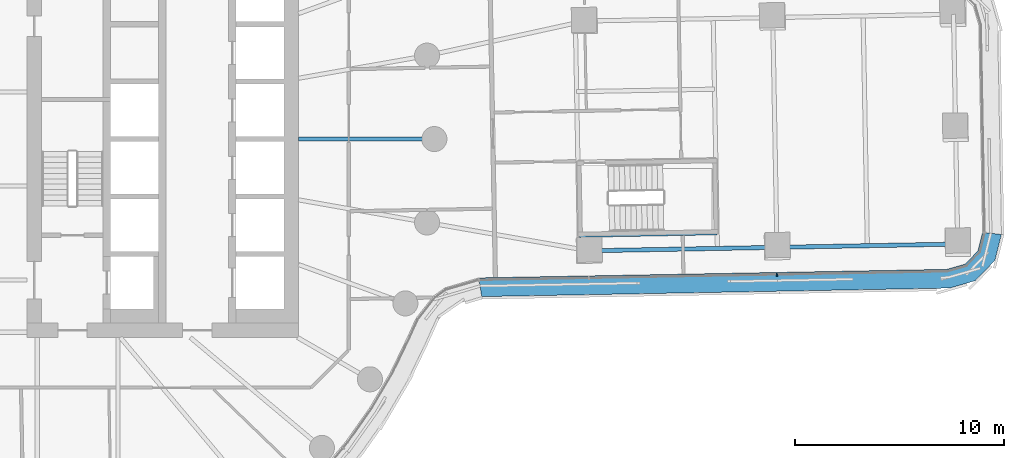
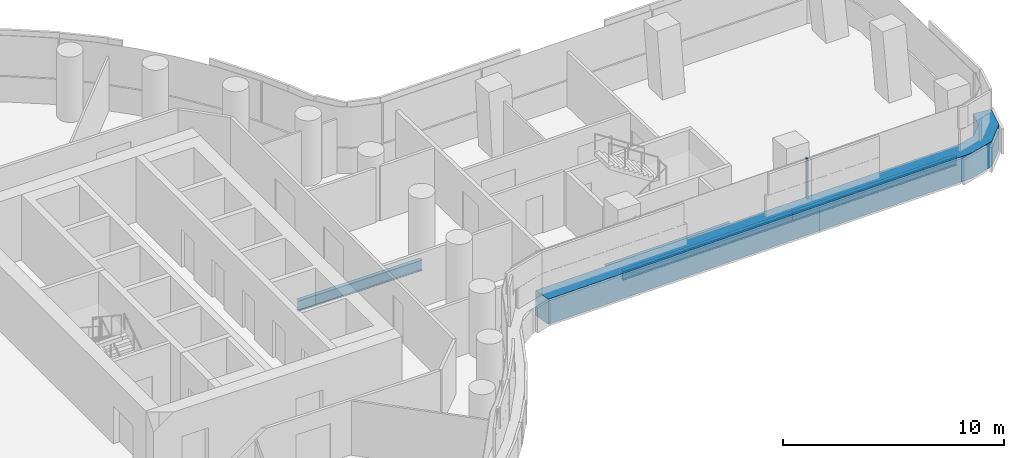
# One storey, part 10 of 31: 4 beams, 2 members, 1 element without a shape of its own.
"""IFC4 building model written with IfcOpenShell, lengths in metres."""

import ifcopenshell
import ifcopenshell.guid

model = None  # the IFC model being written
_history = None  # IfcOwnerHistory: only IFC2X3 demands one
_inside = {}  # id of a spatial element -> (the spatial element, [elements in it])
_under = {}  # id of a project, library or spatial element -> (it, [spatial elements below it])
_declared = {}  # id of a project -> (the project, [libraries it declares])
_typed = {}  # id of a type object -> (the type object, [elements of that type])
_made_of = {}  # id of a material, layer set ... -> (it, [elements and type objects made of it])


def new_model(schema):
    """Start an empty IFC model of exactly this schema.

    Asked for "IFC4X3", IfcOpenShell would pick the latest addendum, in which some entities
    have other attributes; the version numbers below select the first issue.
    IFC2X3 requires an IfcOwnerHistory on every rooted entity: one is made here for all.
    """
    global model, _history
    if schema == "IFC4X3":
        model = ifcopenshell.file(schema_version=(4, 3, 0, 0))
    else:
        model = ifcopenshell.file(schema=schema)
    _inside.clear()
    _under.clear()
    _declared.clear()
    _typed.clear()
    _made_of.clear()
    _history = None
    if model.schema == "IFC2X3":
        org = make("IfcOrganization", Name="unknown")
        user = make(
            "IfcPersonAndOrganization",
            ThePerson=make("IfcPerson", FamilyName="unknown"),
            TheOrganization=org,
        )
        app = make(
            "IfcApplication",
            ApplicationDeveloper=org,
            Version="unknown",
            ApplicationFullName="unknown",
            ApplicationIdentifier="unknown",
        )
        _history = make(
            "IfcOwnerHistory",
            OwningUser=user,
            OwningApplication=app,
            ChangeAction="ADDED",
            CreationDate=0,
        )
    return model


def make(cls, **values):
    """One entity of the class cls with the attributes given. An attribute that is None is left unset."""
    return model.create_entity(
        cls, **{name: value for name, value in values.items() if value is not None}
    )


def rooted(cls, **values):
    """An entity with a GlobalId (a new one), such as an element, a storey or a relation."""
    return make(cls, GlobalId=ifcopenshell.guid.new(), OwnerHistory=_history, **values)


def si_unit(unit_type, name, prefix=None):
    """IfcSIUnit, for example si_unit("LENGTHUNIT", "METRE", prefix="MILLI")."""
    return make("IfcSIUnit", UnitType=unit_type, Prefix=prefix, Name=name)


def assignment(units):
    """IfcUnitAssignment: the units of a project."""
    return None if units is None else make("IfcUnitAssignment", Units=units)


def point(xyz):
    """IfcCartesianPoint."""
    return None if xyz is None else make("IfcCartesianPoint", Coordinates=xyz)


def direction(xyz):
    """IfcDirection."""
    return None if xyz is None else make("IfcDirection", DirectionRatios=xyz)


def frame(location, z_axis=None, x_axis=None):
    """IfcAxis2Placement3D, a coordinate frame: its origin and axes. An axis left out is left unset."""
    return make(
        "IfcAxis2Placement3D",
        Location=point(location),
        Axis=direction(z_axis),
        RefDirection=direction(x_axis),
    )


def frame_2d(location, x_axis=None):
    """IfcAxis2Placement2D, a coordinate frame in the plane: its origin and x axis."""
    return make(
        "IfcAxis2Placement2D", Location=point(location), RefDirection=direction(x_axis)
    )


def origin():
    """The frame at (0, 0, 0) with its axes left unset."""
    return frame((0.0, 0.0, 0.0))


def origin_2d():
    """The frame at (0, 0) in the plane with its x axis left unset."""
    return frame_2d((0.0, 0.0))


def place(relative_to, where):
    """IfcLocalPlacement: puts the frame where relative to a parent placement (None: the world)."""
    return make(
        "IfcLocalPlacement", PlacementRelTo=relative_to, RelativePlacement=where
    )


def context(
    kind, dimensions, precision=None, world=None, true_north=None, identifier=None
):
    """IfcGeometricRepresentationContext, for example the 3D "Model" context."""
    return make(
        "IfcGeometricRepresentationContext",
        ContextIdentifier=identifier,
        ContextType=kind,
        CoordinateSpaceDimension=dimensions,
        Precision=precision,
        WorldCoordinateSystem=world,
        TrueNorth=true_north,
    )


def subcontext(parent, identifier, kind, view, scale=None):
    """IfcGeometricRepresentationSubContext, for example "Body" below "Model"."""
    return make(
        "IfcGeometricRepresentationSubContext",
        ContextIdentifier=identifier,
        ContextType=kind,
        ParentContext=parent,
        TargetScale=scale,
        TargetView=view,
    )


def project(units=None, contexts=None):
    """IfcProject with its units and contexts."""
    return rooted(
        "IfcProject",
        Name="project",
        RepresentationContexts=contexts,
        UnitsInContext=assignment(units),
    )


def spatial(cls, under=None, at=None, **own):
    """A site, building, storey or space (cls), placed at a placement, below another one or the project."""
    s = rooted(cls, ObjectPlacement=at, **own)
    if under is not None:
        _under.setdefault(under.id(), (under, []))[1].append(s)
    return s


def polyline(points):
    """IfcPolyline through the points."""
    return make("IfcPolyline", Points=[point(p) for p in points])


def profile(cls, at=None, kind="AREA", **sizes):
    """A parametric profile (cls). Its sizes go by their IFC names, for example OverallWidth=200.0."""
    return make(cls, ProfileType=kind, Position=at, **sizes)


def rectangle(**sizes):
    """IfcRectangleProfileDef."""
    return profile("IfcRectangleProfileDef", **sizes)


def i_section(**sizes):
    """IfcIShapeProfileDef."""
    return profile("IfcIShapeProfileDef", **sizes)


def outline(outer, holes=None, kind="AREA"):
    """IfcArbitraryClosedProfileDef: a profile drawn as a closed curve; with holes, ...WithVoids."""
    if holes is None:
        return make("IfcArbitraryClosedProfileDef", ProfileType=kind, OuterCurve=outer)
    return make(
        "IfcArbitraryProfileDefWithVoids",
        ProfileType=kind,
        OuterCurve=outer,
        InnerCurves=holes,
    )


def extrude(swept, where, along, depth):
    """IfcExtrudedAreaSolid: the profile swept, set in the frame where, extruded along a direction by depth."""
    return make(
        "IfcExtrudedAreaSolid",
        SweptArea=swept,
        Position=where,
        ExtrudedDirection=direction(along),
        Depth=depth,
    )


def shape(context_of_items, identifier, shape_type, items):
    """IfcShapeRepresentation: the items that make up one representation, for example the "Body"."""
    return make(
        "IfcShapeRepresentation",
        ContextOfItems=context_of_items,
        RepresentationIdentifier=identifier,
        RepresentationType=shape_type,
        Items=items,
    )


def material(Name=None, Category=None):
    """IfcMaterial."""
    return make("IfcMaterial", Name=Name, Category=Category)


def layer(
    of_material, thickness, ventilated=None, Name=None, Category=None, Priority=None
):
    """IfcMaterialLayer: one layer of a wall or slab, of a material (None: an air gap)."""
    return make(
        "IfcMaterialLayer",
        Material=of_material,
        LayerThickness=thickness,
        IsVentilated=ventilated,
        Name=Name,
        Category=Category,
        Priority=Priority,
    )


def layer_set(layers, Name=None):
    """IfcMaterialLayerSet."""
    return make("IfcMaterialLayerSet", MaterialLayers=layers, LayerSetName=Name)


def material_profile(
    of_material, cross_section, Name=None, Category=None, Priority=None
):
    """IfcMaterialProfile: a cross section and its material."""
    return make(
        "IfcMaterialProfile",
        Name=Name,
        Material=of_material,
        Profile=cross_section,
        Priority=Priority,
        Category=Category,
    )


def profile_set(profiles, Name=None, composite=None):
    """IfcMaterialProfileSet."""
    return make(
        "IfcMaterialProfileSet",
        Name=Name,
        MaterialProfiles=profiles,
        CompositeProfile=composite,
    )


def made_of(thing, what):
    """Note that an element or type object is made of a material, layer set ...; save() writes the relation."""
    if what is not None:
        _made_of.setdefault(what.id(), (what, []))[1].append(thing)
    return thing


def type_object(cls, material=None, **own):
    """A type object (cls), such as IfcWallType, which elements share."""
    return made_of(rooted(cls, **own), material)


def element(
    cls,
    number,
    at=None,
    inside=None,
    cuts=None,
    type_object=None,
    material=None,
    context=None,
    identifier="Body",
    shape_type=None,
    held_by="IfcProductDefinitionShape",
    body=None,
    shapes=None,
    **own,
):
    """One element of the class cls, such as IfcWall. Its Tag is "e" and its number.

    at: its placement. inside: the storey or other place that contains it. cuts: it is an
    opening in that element (IfcRelVoidsElement). A single representation is given by context,
    identifier, shape_type and body (its items); several are given by shapes. held_by: the class
    of the entity that holds the representations. save() writes the other relations.
    """
    e = rooted(cls, Tag="e%d" % number, ObjectPlacement=at, **own)
    if body is not None:
        shapes = [shape(context, identifier, shape_type, body)]
    if shapes is not None:
        e.Representation = make(held_by, Representations=shapes)
    if inside is not None:
        _inside.setdefault(inside.id(), (inside, []))[1].append(e)
    if cuts is not None:
        rooted(
            "IfcRelVoidsElement", RelatingBuildingElement=cuts, RelatedOpeningElement=e
        )
    if type_object is not None:
        _typed.setdefault(type_object.id(), (type_object, []))[1].append(e)
    return made_of(e, material)


def aggregate(whole, parts):
    """IfcRelAggregates: a whole, such as a stair, and the parts it consists of."""
    return rooted("IfcRelAggregates", RelatingObject=whole, RelatedObjects=parts)


def save(model, path):
    """Write the relations noted so far, then the file.

    IfcRelAggregates (storeys below a building ...), IfcRelContainedInSpatialStructure (elements
    in a storey), IfcRelDefinesByType, IfcRelAssociatesMaterial and IfcRelDeclares: one each for
    every whole, place, type object, material and project.
    """
    for whole, parts in _under.values():
        aggregate(whole, parts)
    for where, things in _inside.values():
        rooted(
            "IfcRelContainedInSpatialStructure",
            RelatedElements=things,
            RelatingStructure=where,
        )
    for kind, things in _typed.values():
        rooted("IfcRelDefinesByType", RelatedObjects=things, RelatingType=kind)
    for what, things in _made_of.values():
        rooted("IfcRelAssociatesMaterial", RelatedObjects=things, RelatingMaterial=what)
    for by, libraries in _declared.values():
        rooted("IfcRelDeclares", RelatingContext=by, RelatedDefinitions=libraries)
    model.write(path)


model = new_model("IFC4")

# Units and contexts
model_context = context("Model", 3, precision=1e-05, world=origin(), true_north=direction((0.0, 1.0)))
body_context = subcontext(model_context, "Body", "Model", "MODEL_VIEW")
ifc_project = project(units=[si_unit("LENGTHUNIT", "METRE"), si_unit("AREAUNIT", "SQUARE_METRE"), si_unit("VOLUMEUNIT", "CUBIC_METRE"), si_unit("PLANEANGLEUNIT", "RADIAN"), si_unit("MASSUNIT", "GRAM", prefix="KILO")], contexts=[model_context])

# Site, building, storey
site_placement = place(None, origin())
site = spatial("IfcSite", under=ifc_project, at=site_placement, CompositionType="ELEMENT")
building_placement = place(site_placement, origin())
building = spatial("IfcBuilding", under=site, at=building_placement, Name="Tamarind Cross Interchange Tower", CompositionType="ELEMENT")
storey_placement = place(building_placement, frame((0.0, 0.0, 37.75)))
storey = spatial("IfcBuildingStorey", under=building, at=storey_placement, Name="L07", CompositionType="ELEMENT", Elevation=37.75)

# Beams
ifc_material_1 = material(Name="Steel Q355B", Category="steel")
ifc_material_profile_1 = material_profile(ifc_material_1, i_section(OverallWidth=0.198974609375, OverallDepth=0.49609375, WebThickness=0.009033203125, FlangeThickness=0.013916015625, FilletRadius=0.012939453125, at=origin_2d()), Name="HN 496x199x9x14")
ifc_profile_set_1 = profile_set([ifc_material_profile_1], Name="Steel Q355B")
beam_type_1 = type_object("IfcBeamType", Name="Composite beam HN 496x199x9x14 Q355B", PredefinedType="BEAM", material=ifc_profile_set_1)
beam_1_placement = place(storey_placement, frame((48.048828125, -5.02587890625, -0.387939453125), z_axis=(-0.999833874071, -0.018227020054, 0.0), x_axis=(0.018227020054, -0.999833874071, 0.0)))
element("IfcBeam", 1, at=beam_1_placement, inside=storey, type_object=beam_type_1, Name="Beam E-edgeem5", PredefinedType="BEAM", context=body_context, shape_type="SweptSolid", body=[
    extrude(i_section(OverallWidth=0.198974609375, OverallDepth=0.49609375, WebThickness=0.009033203125, FlangeThickness=0.013916015625, FilletRadius=0.012939453125, at=origin_2d()), origin(), (0.0, 0.0, 1.0), 8.65283203125),
])
beam_2_placement = place(storey_placement, frame((39.3974609375, -5.18359375, -0.387939453125), z_axis=(-0.999833836067, -0.018229104613, 0.0), x_axis=(0.018229104613, -0.999833836067, 0.0)))
element("IfcBeam", 2, at=beam_2_placement, inside=storey, type_object=beam_type_1, Name="Beam E-edgeem6", PredefinedType="BEAM", context=body_context, shape_type="SweptSolid", body=[
    extrude(i_section(OverallWidth=0.198974609375, OverallDepth=0.49609375, WebThickness=0.009033203125, FlangeThickness=0.013916015625, FilletRadius=0.012939453125, at=origin_2d()), origin(), (0.0, 0.0, 1.0), 9.0),
])
beam_3_placement = place(storey_placement, frame((29.935302734375, -4.60595703125, -0.387939453125), z_axis=(0.999834372538, 0.018199656343, 0.0), x_axis=(-0.018199656343, 0.999834372538, 0.0)))
element("IfcBeam", 3, at=beam_3_placement, inside=storey, type_object=beam_type_1, Name="Beam E-tr0", PredefinedType="BEAM", context=body_context, shape_type="SweptSolid", body=[
    extrude(i_section(OverallWidth=0.198974609375, OverallDepth=0.49609375, WebThickness=0.009033203125, FlangeThickness=0.013916015625, FilletRadius=0.012939453125, at=origin_2d()), origin(), (0.0, 0.0, 1.0), 6.599853515625),
])
ifc_material_profile_2 = material_profile(ifc_material_1, i_section(OverallWidth=0.198974609375, OverallDepth=0.595947265625, WebThickness=0.010009765625, FlangeThickness=0.014892578125, FilletRadius=0.012939453125, at=origin_2d()), Name="HN 596x199x10x15")
ifc_profile_set_2 = profile_set([ifc_material_profile_2], Name="Steel Q355B")
beam_type_2 = type_object("IfcBeamType", Name="Composite beam HN 596x199x10x15 Q355B", PredefinedType="BEAM", material=ifc_profile_set_2)
beam_4_placement = place(storey_placement, frame((23.0, 0.0, -0.43798828125), z_axis=(-1.0, 0.0, 0.0), x_axis=(0.0, -1.0, 0.0)))
element("IfcBeam", 4, at=beam_4_placement, inside=storey, type_object=beam_type_2, Name="Beam HH00", PredefinedType="BEAM", context=body_context, shape_type="SweptSolid", body=[
    extrude(i_section(OverallWidth=0.198974609375, OverallDepth=0.595947265625, WebThickness=0.010009765625, FlangeThickness=0.014892578125, FilletRadius=0.012939453125, at=origin_2d()), origin(), (0.0, 0.0, 1.0), 6.5),
])

# Curtain wall, members
ifc_material_2 = material(Name="Aluminium 6063-T6", Category="aluminium")
ifc_layer = layer(ifc_material_2, 0.159912109375)
ifc_layer_set = layer_set([ifc_layer], Name="Aluminium 6063-T6")
curtain_wall_type = type_object("IfcCurtainWallType", Name="Office curtain wall, 9.0 m bays", PredefinedType="NOTDEFINED", material=ifc_layer_set)
curtain_wall_placement = place(storey_placement, origin())
curtain_wall = element("IfcCurtainWall", 5, at=curtain_wall_placement, inside=storey, type_object=curtain_wall_type, Name="CWS-L07-11", PredefinedType="NOTDEFINED")
ifc_material_3 = material(Name="Aluminium and insulated spandrel panel", Category="aluminium")
member_type_1 = type_object("IfcMemberType", Name="Floor-edge blade transom", PredefinedType="USERDEFINED", material=ifc_material_3)
member_1_placement = place(storey_placement, origin())
member_1 = element("IfcMember", 6, at=member_1_placement, type_object=member_type_1, Name="CWT-L07-11", ObjectType="TRANSOM", PredefinedType="USERDEFINED", context=body_context, shape_type="SweptSolid", body=[
    extrude(outline(polyline([(25.127197265625, -6.64404296875), (47.53125, -6.235595703125), (48.4111328125, -5.982421875), (49.01806640625, -5.35302734375), (49.23876953125, -4.464599609375), (50.140869140625, -4.566650390625), (49.833251953125, -5.803955078125), (48.8916015625, -6.78076171875), (47.666259765625, -7.13330078125), (25.264892578125, -7.541748046875), (25.127197265625, -6.64404296875)])), origin(), (0.0, 0.0, 1.0), 1.39990234375),
])
ifc_material_profile_3 = material_profile(ifc_material_2, rectangle(XDim=0.06005859375, YDim=0.159912109375, at=origin_2d()), Name="Mullion CW1")
ifc_profile_set_3 = profile_set([ifc_material_profile_3], Name="Aluminium 6063-T6")
member_type_2 = type_object("IfcMemberType", Name="Mullion CW1", PredefinedType="MULLION", material=ifc_profile_set_3)
member_2_placement = place(storey_placement, frame((39.39453125, -6.48388671875, 1.39990234375), z_axis=(0.0, 0.0, 1.0), x_axis=(0.999833743347, 0.018234189439, 0.0)))
member_2 = element("IfcMember", 7, at=member_2_placement, type_object=member_type_2, Name="CWM-L07-11-02", PredefinedType="MULLION", context=body_context, shape_type="SweptSolid", body=[
    extrude(rectangle(XDim=0.06005859375, YDim=0.159912109375, at=origin_2d()), origin(), (0.0, 0.0, 1.0), 2.210205078125),
])
aggregate(curtain_wall, [member_2, member_1])

save(model, "model.ifc")
